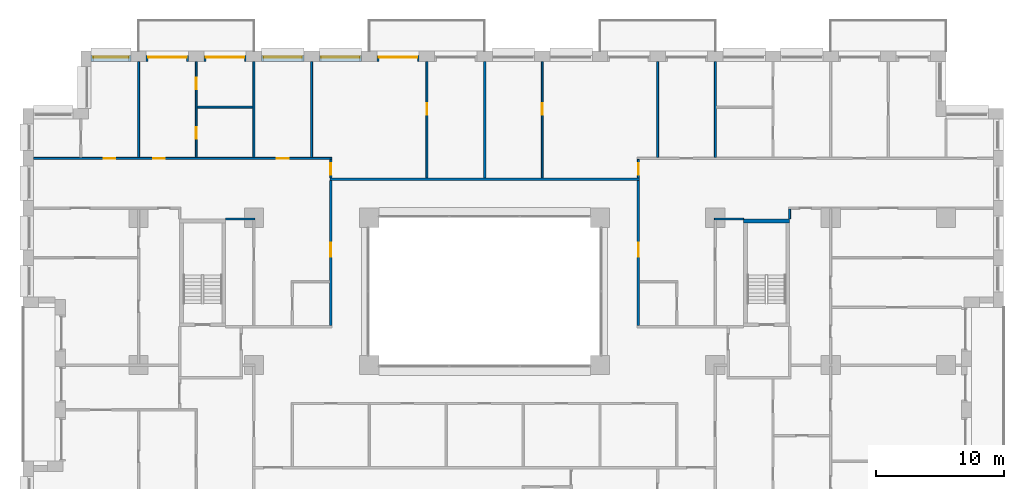
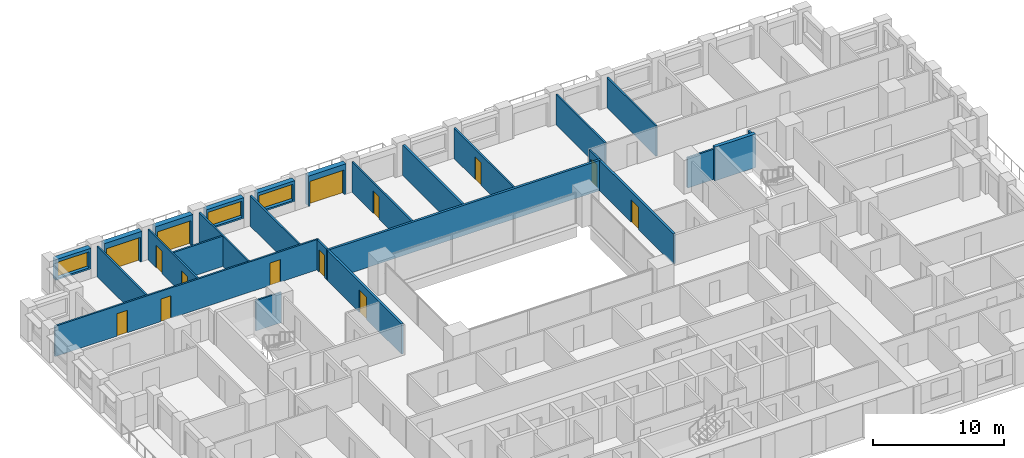
# One storey, part 14 of 19: 26 walls, 14 doors, 3 windows, 17 openings.
"""IFC4 building model written with IfcOpenShell, lengths in metres."""

from ifc_helpers import new_model, si_unit, direction, frame, frame_2d, origin, place, context, subcontext, project, spatial, rectangle, extrude, material, layer, layer_set, type_object, element, fill, save


model = new_model("IFC4")

# Units and contexts
model_context = context("Model", 3, precision=1e-05, world=origin(), true_north=direction((0.0, 1.0)))
body_context = subcontext(model_context, "Body", "Model", "MODEL_VIEW")
ifc_project = project(units=[si_unit("LENGTHUNIT", "METRE"), si_unit("AREAUNIT", "SQUARE_METRE"), si_unit("VOLUMEUNIT", "CUBIC_METRE"), si_unit("PLANEANGLEUNIT", "RADIAN"), si_unit("MASSUNIT", "GRAM", prefix="KILO")], contexts=[model_context])

# Site, building, storey
site_placement = place(None, origin())
site = spatial("IfcSite", under=ifc_project, at=site_placement, CompositionType="ELEMENT")
building_placement = place(site_placement, origin())
building = spatial("IfcBuilding", under=site, at=building_placement, Name="Brigalow Station Residences", CompositionType="ELEMENT")
storey_placement = place(building_placement, frame((0.0, 0.0, 22.64990234375)))
storey = spatial("IfcBuildingStorey", under=building, at=storey_placement, Name="L05", CompositionType="ELEMENT", Elevation=22.64990234375)

# Wall, opening, door
ifc_material_1 = material(Name="Clay brick masonry", Category="masonry")
ifc_layer_1 = layer(ifc_material_1, 0.449951171875)
ifc_layer_set_1 = layer_set([ifc_layer_1], Name="BRICK INFILL WALL 450")
wall_type_1 = type_object("IfcWallType", Name="BRICK INFILL WALL 450", PredefinedType="SOLIDWALL", material=ifc_layer_set_1)
wall_1_placement = place(storey_placement, frame((30.89990234375, 47.925048828125, 0.0), z_axis=(0.0, 0.0, 1.0), x_axis=(-1.0, 0.0, 0.0)))
wall_1 = element("IfcWall", 1, at=wall_1_placement, inside=storey, type_object=wall_type_1, Name="L05/ewall/W-L05-34", PredefinedType="SOLIDWALL", context=body_context, shape_type="SweptSolid", body=[
    extrude(rectangle(XDim=3.2998046875, YDim=0.449951171875, at=frame_2d((1.64990234375, 0.0))), origin(), (0.0, 0.0, 1.0), 2.830078125),
])
opening_1_placement = place(wall_1_placement, frame((0.14990234375, 0.0, 0.0)))
opening_1 = element("IfcOpeningElement", 2, at=opening_1_placement, cuts=wall_1, Name="Opening D-B3000", PredefinedType="OPENING", context=body_context, shape_type="SweptSolid", body=[
    extrude(rectangle(XDim=3.0, YDim=2.300048828125, at=frame_2d((1.5, 1.14990234375))), frame((0.0, 0.23486328125, 0.0), z_axis=(0.0, -1.0, 0.0), x_axis=(1.0, 0.0, 0.0)), (0.0, 0.0, 1.0), 0.469970703125),
])
ifc_material_2 = material(Name="Anodised aluminium frame with double glazing", Category="aluminium")
door_type_1 = type_object("IfcDoorType", Name="BALCONY SLIDING DOOR 3000x2300", OperationType="SLIDING_TO_LEFT", PredefinedType="DOOR", material=ifc_material_2)
door_1_placement = place(opening_1_placement, origin())
door_1 = element("IfcDoor", 3, at=door_1_placement, inside=storey, type_object=door_type_1, Name="L05/balcony-door/W-L05-34", OperationType="SLIDING_TO_LEFT", OverallHeight=2.300048828125, OverallWidth=3.0, PredefinedType="DOOR", context=body_context, shape_type="SweptSolid", body=[
    extrude(rectangle(XDim=3.0, YDim=2.300048828125, at=frame_2d((1.5, 1.14990234375))), frame((0.0, -0.06982421875, 0.0), z_axis=(0.0, -1.0, 0.0), x_axis=(1.0, 0.0, 0.0)), (0.0, 0.0, 1.0), 0.050048828125),
])
fill(opening_1, door_1)

# Wall, opening, window
wall_2_placement = place(storey_placement, frame((26.39990234375, 47.925048828125, 0.900146484375), z_axis=(0.0, 0.0, 1.0), x_axis=(-1.0, 0.0, 0.0)))
wall_2 = element("IfcWall", 4, at=wall_2_placement, inside=storey, type_object=wall_type_1, Name="L05/ewall/W-L05-35", PredefinedType="SOLIDWALL", context=body_context, shape_type="SweptSolid", body=[
    extrude(rectangle(XDim=3.2998046875, YDim=0.449951171875, at=frame_2d((1.64990234375, 0.0))), origin(), (0.0, 0.0, 1.0), 1.929931640625),
])
opening_2_placement = place(wall_2_placement, frame((0.14990234375, 0.0, 0.14990234375)))
opening_2 = element("IfcOpeningElement", 5, at=opening_2_placement, cuts=wall_2, Name="Opening WT-2", PredefinedType="OPENING", context=body_context, shape_type="SweptSolid", body=[
    extrude(rectangle(XDim=3.0, YDim=1.5, at=frame_2d((1.5, 0.75))), frame((0.0, 0.23486328125, 0.0), z_axis=(0.0, -1.0, 0.0), x_axis=(1.0, 0.0, 0.0)), (0.0, 0.0, 1.0), 0.469970703125),
])
ifc_material_3 = material(Name="Anodised aluminium frame with double glazing", Category="aluminium")
window_type_1 = type_object("IfcWindowType", Name="WINDOW 3000x1500", PartitioningType="SINGLE_PANEL", PredefinedType="WINDOW", material=ifc_material_3)
window_1_placement = place(opening_2_placement, origin())
window_1 = element("IfcWindow", 6, at=window_1_placement, inside=storey, type_object=window_type_1, Name="L05/window/W-L05-35", OverallHeight=1.5, OverallWidth=3.0, PartitioningType="SINGLE_PANEL", PredefinedType="WINDOW", context=body_context, shape_type="SweptSolid", body=[
    extrude(rectangle(XDim=3.0, YDim=1.5, at=frame_2d((1.5, 0.75))), frame((0.0, -0.06494140625, 0.0), z_axis=(0.0, -1.0, 0.0), x_axis=(1.0, 0.0, 0.0)), (0.0, 0.0, 1.0), 0.06005859375),
])
fill(opening_2, window_1)

wall_3_placement = place(storey_placement, frame((21.89990234375, 47.925048828125, 0.900146484375), z_axis=(0.0, 0.0, 1.0), x_axis=(-1.0, 0.0, 0.0)))
wall_3 = element("IfcWall", 7, at=wall_3_placement, inside=storey, type_object=wall_type_1, Name="L05/ewall/W-L05-36", PredefinedType="SOLIDWALL", context=body_context, shape_type="SweptSolid", body=[
    extrude(rectangle(XDim=3.2998046875, YDim=0.449951171875, at=frame_2d((1.64990234375, 0.0))), origin(), (0.0, 0.0, 1.0), 1.929931640625),
])
opening_3_placement = place(wall_3_placement, frame((0.14990234375, 0.0, 0.14990234375)))
opening_3 = element("IfcOpeningElement", 8, at=opening_3_placement, cuts=wall_3, Name="Opening WT-2", PredefinedType="OPENING", context=body_context, shape_type="SweptSolid", body=[
    extrude(rectangle(XDim=3.0, YDim=1.5, at=frame_2d((1.5, 0.75))), frame((0.0, 0.23486328125, 0.0), z_axis=(0.0, -1.0, 0.0), x_axis=(1.0, 0.0, 0.0)), (0.0, 0.0, 1.0), 0.469970703125),
])
window_2_placement = place(opening_3_placement, origin())
window_2 = element("IfcWindow", 9, at=window_2_placement, inside=storey, type_object=window_type_1, Name="L05/window/W-L05-36", OverallHeight=1.5, OverallWidth=3.0, PartitioningType="SINGLE_PANEL", PredefinedType="WINDOW", context=body_context, shape_type="SweptSolid", body=[
    extrude(rectangle(XDim=3.0, YDim=1.5, at=frame_2d((1.5, 0.75))), frame((0.0, -0.06494140625, 0.0), z_axis=(0.0, -1.0, 0.0), x_axis=(1.0, 0.0, 0.0)), (0.0, 0.0, 1.0), 0.06005859375),
])
fill(opening_3, window_2)

# Wall, opening, door
wall_4_placement = place(storey_placement, frame((17.39990234375, 47.925048828125, 0.0), z_axis=(0.0, 0.0, 1.0), x_axis=(-1.0, 0.0, 0.0)))
wall_4 = element("IfcWall", 10, at=wall_4_placement, inside=storey, type_object=wall_type_1, Name="L05/ewall/W-L05-37", PredefinedType="SOLIDWALL", context=body_context, shape_type="SweptSolid", body=[
    extrude(rectangle(XDim=3.2998046875, YDim=0.449951171875, at=frame_2d((1.64990234375, 0.0))), origin(), (0.0, 0.0, 1.0), 2.830078125),
])
opening_4_placement = place(wall_4_placement, frame((0.14990234375, 0.0, 0.0)))
opening_4 = element("IfcOpeningElement", 11, at=opening_4_placement, cuts=wall_4, Name="Opening D-B3000", PredefinedType="OPENING", context=body_context, shape_type="SweptSolid", body=[
    extrude(rectangle(XDim=3.0, YDim=2.300048828125, at=frame_2d((1.5, 1.14990234375))), frame((0.0, 0.23486328125, 0.0), z_axis=(0.0, -1.0, 0.0), x_axis=(1.0, 0.0, 0.0)), (0.0, 0.0, 1.0), 0.469970703125),
])
door_2_placement = place(opening_4_placement, origin())
door_2 = element("IfcDoor", 12, at=door_2_placement, inside=storey, type_object=door_type_1, Name="L05/balcony-door/W-L05-37", OperationType="SLIDING_TO_LEFT", OverallHeight=2.300048828125, OverallWidth=3.0, PredefinedType="DOOR", context=body_context, shape_type="SweptSolid", body=[
    extrude(rectangle(XDim=3.0, YDim=2.300048828125, at=frame_2d((1.5, 1.14990234375))), frame((0.0, -0.06982421875, 0.0), z_axis=(0.0, -1.0, 0.0), x_axis=(1.0, 0.0, 0.0)), (0.0, 0.0, 1.0), 0.050048828125),
])
fill(opening_4, door_2)

wall_5_placement = place(storey_placement, frame((12.89990234375, 47.925048828125, 0.0), z_axis=(0.0, 0.0, 1.0), x_axis=(-1.0, 0.0, 0.0)))
wall_5 = element("IfcWall", 13, at=wall_5_placement, inside=storey, type_object=wall_type_1, Name="L05/ewall/W-L05-38", PredefinedType="SOLIDWALL", context=body_context, shape_type="SweptSolid", body=[
    extrude(rectangle(XDim=3.2998046875, YDim=0.449951171875, at=frame_2d((1.64990234375, 0.0))), origin(), (0.0, 0.0, 1.0), 2.830078125),
])
opening_5_placement = place(wall_5_placement, frame((0.14990234375, 0.0, 0.0)))
opening_5 = element("IfcOpeningElement", 14, at=opening_5_placement, cuts=wall_5, Name="Opening D-B3000", PredefinedType="OPENING", context=body_context, shape_type="SweptSolid", body=[
    extrude(rectangle(XDim=3.0, YDim=2.300048828125, at=frame_2d((1.5, 1.14990234375))), frame((0.0, 0.23486328125, 0.0), z_axis=(0.0, -1.0, 0.0), x_axis=(1.0, 0.0, 0.0)), (0.0, 0.0, 1.0), 0.469970703125),
])
door_3_placement = place(opening_5_placement, origin())
door_3 = element("IfcDoor", 15, at=door_3_placement, inside=storey, type_object=door_type_1, Name="L05/balcony-door/W-L05-38", OperationType="SLIDING_TO_LEFT", OverallHeight=2.300048828125, OverallWidth=3.0, PredefinedType="DOOR", context=body_context, shape_type="SweptSolid", body=[
    extrude(rectangle(XDim=3.0, YDim=2.300048828125, at=frame_2d((1.5, 1.14990234375))), frame((0.0, -0.06982421875, 0.0), z_axis=(0.0, -1.0, 0.0), x_axis=(1.0, 0.0, 0.0)), (0.0, 0.0, 1.0), 0.050048828125),
])
fill(opening_5, door_3)

# Wall, opening, window
wall_6_placement = place(storey_placement, frame((8.39990234375, 47.925048828125, 0.900146484375), z_axis=(0.0, 0.0, 1.0), x_axis=(-1.0, 0.0, 0.0)))
wall_6 = element("IfcWall", 16, at=wall_6_placement, inside=storey, type_object=wall_type_1, Name="L05/ewall/W-L05-39", PredefinedType="SOLIDWALL", context=body_context, shape_type="SweptSolid", body=[
    extrude(rectangle(XDim=3.099853515625, YDim=0.449951171875, at=frame_2d((1.5498046875, 0.0))), origin(), (0.0, 0.0, 1.0), 1.929931640625),
])
opening_6_placement = place(wall_6_placement, frame((0.175048828125, 0.0, 0.14990234375)))
opening_6 = element("IfcOpeningElement", 17, at=opening_6_placement, cuts=wall_6, Name="Opening WT-3", PredefinedType="OPENING", context=body_context, shape_type="SweptSolid", body=[
    extrude(rectangle(XDim=2.75, YDim=1.5, at=frame_2d((1.375, 0.75))), frame((0.0, 0.23486328125, 0.0), z_axis=(0.0, -1.0, 0.0), x_axis=(1.0, 0.0, 0.0)), (0.0, 0.0, 1.0), 0.469970703125),
])
ifc_material_4 = material(Name="Anodised aluminium frame with double glazing", Category="aluminium")
window_type_2 = type_object("IfcWindowType", Name="WINDOW 2750x1500", PartitioningType="SINGLE_PANEL", PredefinedType="WINDOW", material=ifc_material_4)
window_3_placement = place(opening_6_placement, origin())
window_3 = element("IfcWindow", 18, at=window_3_placement, inside=storey, type_object=window_type_2, Name="L05/window/W-L05-39", OverallHeight=1.5, OverallWidth=2.75, PartitioningType="SINGLE_PANEL", PredefinedType="WINDOW", context=body_context, shape_type="SweptSolid", body=[
    extrude(rectangle(XDim=2.75, YDim=1.5, at=frame_2d((1.375, 0.75))), frame((0.0, -0.06494140625, 0.0), z_axis=(0.0, -1.0, 0.0), x_axis=(1.0, 0.0, 0.0)), (0.0, 0.0, 1.0), 0.06005859375),
])
fill(opening_6, window_3)

# Walls
ifc_material_5 = material(Name="Concrete C80", Category="concrete")
ifc_layer_2 = layer(ifc_material_5, 0.300048828125)
ifc_layer_set_2 = layer_set([ifc_layer_2], Name="CORE SHEAR WALL 300 C80")
wall_type_2 = type_object("IfcWallType", Name="CORE SHEAR WALL 300 C80", PredefinedType="SHEAR", material=ifc_layer_set_2)
wall_7_placement = place(storey_placement, frame((56.199951171875, 35.25, 0.0), z_axis=(0.0, 0.0, 1.0), x_axis=(1.0, 0.0, 0.0)))
element("IfcWall", 19, at=wall_7_placement, inside=storey, type_object=wall_type_2, Name="CORE WALL ST-S3-N L05", PredefinedType="SHEAR", context=body_context, shape_type="SweptSolid", body=[
    extrude(rectangle(XDim=3.60009765625, YDim=0.300048828125, at=frame_2d((1.800048828125, 0.0))), origin(), (0.0, 0.0, 1.0), 3.150146484375),
])
ifc_material_6 = material(Name="Plasterboard on steel stud partition", Category="steel")
ifc_layer_3 = layer(ifc_material_6, 0.14990234375)
ifc_layer_set_3 = layer_set([ifc_layer_3], Name="FLAT PARTITION 150")
wall_type_3 = type_object("IfcWallType", Name="FLAT PARTITION 150", PredefinedType="PARTITIONING", material=ifc_layer_set_3)
for number, where, z_axis, x_axis, name in (
    (20, (15.800048828125, 35.39990234375, 0.0), (0.0, 0.0, 1.0), (1.0, 0.0, 0.0), "PW-1A20"),
    (21, (53.925048828125, 35.39990234375, 0.0), (0.0, 0.0, 1.0), (1.0, 0.0, 0.0), "PW-1A21"),
):
    element("IfcWall", number, at=place(storey_placement, frame(where, z_axis=z_axis, x_axis=x_axis)), inside=storey, type_object=wall_type_3, Name=name, PredefinedType="PARTITIONING", context=body_context, shape_type="SweptSolid", body=[
        extrude(rectangle(XDim=2.27490234375, YDim=0.14990234375, at=frame_2d((1.137451171875, 0.0))), origin(), (0.0, 0.0, 1.0), 2.830078125),
    ])

# Wall, openings, doors
wall_8_placement = place(storey_placement, frame((0.800048828125, 40.125, 0.0), z_axis=(0.0, 0.0, 1.0), x_axis=(1.0, 0.0, 0.0)))
wall_8 = element("IfcWall", 22, at=wall_8_placement, inside=storey, type_object=wall_type_3, Name="PW-1A22", PredefinedType="PARTITIONING", context=body_context, shape_type="SweptSolid", body=[
    extrude(rectangle(XDim=23.27490234375, YDim=0.14990234375, at=frame_2d((11.637451171875, 0.0))), origin(), (0.0, 0.0, 1.0), 2.830078125),
])
opening_7_placement = place(wall_8_placement, frame((5.5, 0.0, 0.0)))
opening_7 = element("IfcOpeningElement", 23, at=opening_7_placement, cuts=wall_8, Name="Opening D-1A21", PredefinedType="OPENING", context=body_context, shape_type="SweptSolid", body=[
    extrude(rectangle(XDim=0.89990234375, YDim=2.10009765625, at=frame_2d((0.449951171875, 1.050048828125))), frame((0.0, 0.0849609375, 0.0), z_axis=(0.0, -1.0, 0.0), x_axis=(1.0, 0.0, 0.0)), (0.0, 0.0, 1.0), 0.169921875),
])
opening_8_placement = place(wall_8_placement, frame((9.35009765625, 0.0, 0.0)))
opening_8 = element("IfcOpeningElement", 24, at=opening_8_placement, cuts=wall_8, Name="Opening D-1A23", PredefinedType="OPENING", context=body_context, shape_type="SweptSolid", body=[
    extrude(rectangle(XDim=0.89990234375, YDim=2.10009765625, at=frame_2d((0.449951171875, 1.050048828125))), frame((0.0, 0.0849609375, 0.0), z_axis=(0.0, -1.0, 0.0), x_axis=(1.0, 0.0, 0.0)), (0.0, 0.0, 1.0), 0.169921875),
])
opening_9_placement = place(wall_8_placement, frame((19.0, 0.0, 0.0)))
opening_9 = element("IfcOpeningElement", 25, at=opening_9_placement, cuts=wall_8, Name="Opening D-1A26", PredefinedType="OPENING", context=body_context, shape_type="SweptSolid", body=[
    extrude(rectangle(XDim=0.89990234375, YDim=2.10009765625, at=frame_2d((0.449951171875, 1.050048828125))), frame((0.0, 0.0849609375, 0.0), z_axis=(0.0, -1.0, 0.0), x_axis=(1.0, 0.0, 0.0)), (0.0, 0.0, 1.0), 0.169921875),
])
ifc_material_7 = material(Name="Solid-core timber door leaf", Category="wood")
door_type_2 = type_object("IfcDoorType", Name="INTERNAL DOOR 900 x 2100", OperationType="SINGLE_SWING_LEFT", PredefinedType="DOOR", material=ifc_material_7)
door_4_placement = place(opening_7_placement, origin())
door_4 = element("IfcDoor", 26, at=door_4_placement, inside=storey, type_object=door_type_2, Name="D-1A21", OperationType="SINGLE_SWING_LEFT", OverallHeight=2.10009765625, OverallWidth=0.89990234375, PredefinedType="DOOR", context=body_context, shape_type="SweptSolid", body=[
    extrude(rectangle(XDim=0.89990234375, YDim=2.10009765625, at=frame_2d((0.449951171875, 1.050048828125))), frame((0.0, 0.02490234375, 0.0), z_axis=(0.0, -1.0, 0.0), x_axis=(1.0, 0.0, 0.0)), (0.0, 0.0, 1.0), 0.050048828125),
])
fill(opening_7, door_4)
door_5_placement = place(opening_8_placement, origin())
door_5 = element("IfcDoor", 27, at=door_5_placement, inside=storey, type_object=door_type_2, Name="D-1A23", OperationType="SINGLE_SWING_LEFT", OverallHeight=2.10009765625, OverallWidth=0.89990234375, PredefinedType="DOOR", context=body_context, shape_type="SweptSolid", body=[
    extrude(rectangle(XDim=0.89990234375, YDim=2.10009765625, at=frame_2d((0.449951171875, 1.050048828125))), frame((0.0, 0.02490234375, 0.0), z_axis=(0.0, -1.0, 0.0), x_axis=(1.0, 0.0, 0.0)), (0.0, 0.0, 1.0), 0.050048828125),
])
fill(opening_8, door_5)
door_6_placement = place(opening_9_placement, origin())
door_6 = element("IfcDoor", 28, at=door_6_placement, inside=storey, type_object=door_type_2, Name="D-1A26", OperationType="SINGLE_SWING_LEFT", OverallHeight=2.10009765625, OverallWidth=0.89990234375, PredefinedType="DOOR", context=body_context, shape_type="SweptSolid", body=[
    extrude(rectangle(XDim=0.89990234375, YDim=2.10009765625, at=frame_2d((0.449951171875, 1.050048828125))), frame((0.0, 0.02490234375, 0.0), z_axis=(0.0, -1.0, 0.0), x_axis=(1.0, 0.0, 0.0)), (0.0, 0.0, 1.0), 0.050048828125),
])
fill(opening_9, door_6)

# Walls
wall_9_placement = place(storey_placement, frame((13.574951171875, 44.125, 0.0), z_axis=(0.0, 0.0, 1.0), x_axis=(1.0, 0.0, 0.0)))
element("IfcWall", 29, at=wall_9_placement, inside=storey, type_object=wall_type_3, Name="PW-1A26", PredefinedType="PARTITIONING", context=body_context, shape_type="SweptSolid", body=[
    extrude(rectangle(XDim=4.35009765625, YDim=0.14990234375, at=frame_2d((2.175048828125, 0.0))), origin(), (0.0, 0.0, 1.0), 2.830078125),
])
for number, where, z_axis, x_axis, name in (
    (30, (18.0, 40.199951171875, 0.0), (0.0, 0.0, 1.0), (0.0, 1.0, 0.0), "PW-1A33"),
    (31, (54.0, 40.199951171875, 0.0), (0.0, 0.0, 1.0), (0.0, 1.0, 0.0), "PW-1A36"),
):
    element("IfcWall", number, at=place(storey_placement, frame(where, z_axis=z_axis, x_axis=x_axis)), inside=storey, type_object=wall_type_3, Name=name, PredefinedType="PARTITIONING", context=body_context, shape_type="SweptSolid", body=[
        extrude(rectangle(XDim=7.5, YDim=0.14990234375, at=frame_2d((3.75, 0.0))), origin(), (0.0, 0.0, 1.0), 2.830078125),
    ])

# Wall, opening, door
wall_10_placement = place(storey_placement, frame((24.0, 38.60009765625, 0.0), z_axis=(0.0, 0.0, 1.0), x_axis=(0.0, 1.0, 0.0)))
wall_10 = element("IfcWall", 32, at=wall_10_placement, inside=storey, type_object=wall_type_3, Name="PW-1A42", PredefinedType="PARTITIONING", context=body_context, shape_type="SweptSolid", body=[
    extrude(rectangle(XDim=1.449951171875, YDim=0.14990234375, at=frame_2d((0.72509765625, 0.0))), origin(), (0.0, 0.0, 1.0), 2.830078125),
])
opening_10_placement = place(wall_10_placement, frame((0.261962890625, 0.0, 0.0)))
opening_10 = element("IfcOpeningElement", 33, at=opening_10_placement, cuts=wall_10, Name="Opening D-1A27", PredefinedType="OPENING", context=body_context, shape_type="SweptSolid", body=[
    extrude(rectangle(XDim=0.89990234375, YDim=2.10009765625, at=frame_2d((0.449951171875, 1.050048828125))), frame((0.0, 0.0849609375, 0.0), z_axis=(0.0, -1.0, 0.0), x_axis=(1.0, 0.0, 0.0)), (0.0, 0.0, 1.0), 0.169921875),
])
door_7_placement = place(opening_10_placement, frame((0.89990234375, 0.0, 0.0), z_axis=(0.0, 0.0, 1.0), x_axis=(-1.0, 0.0, 0.0)))
door_7 = element("IfcDoor", 34, at=door_7_placement, inside=storey, type_object=door_type_2, Name="D-1A27", OperationType="SINGLE_SWING_RIGHT", OverallHeight=2.10009765625, OverallWidth=0.89990234375, PredefinedType="DOOR", context=body_context, shape_type="SweptSolid", body=[
    extrude(rectangle(XDim=0.89990234375, YDim=2.10009765625, at=frame_2d((0.449951171875, 1.050048828125))), frame((0.0, 0.02490234375, 0.0), z_axis=(0.0, -1.0, 0.0), x_axis=(1.0, 0.0, 0.0)), (0.0, 0.0, 1.0), 0.050048828125),
])
fill(opening_10, door_7)

wall_11_placement = place(storey_placement, frame((48.0, 38.60009765625, 0.0), z_axis=(0.0, 0.0, 1.0), x_axis=(0.0, 1.0, 0.0)))
wall_11 = element("IfcWall", 35, at=wall_11_placement, inside=storey, type_object=wall_type_3, Name="PW-1A44", PredefinedType="PARTITIONING", context=body_context, shape_type="SweptSolid", body=[
    extrude(rectangle(XDim=1.449951171875, YDim=0.14990234375, at=frame_2d((0.72509765625, 0.0))), origin(), (0.0, 0.0, 1.0), 2.830078125),
])
opening_11_placement = place(wall_11_placement, frame((0.261962890625, 0.0, 0.0)))
opening_11 = element("IfcOpeningElement", 36, at=opening_11_placement, cuts=wall_11, Name="Opening D-1A60", PredefinedType="OPENING", context=body_context, shape_type="SweptSolid", body=[
    extrude(rectangle(XDim=0.89990234375, YDim=2.10009765625, at=frame_2d((0.449951171875, 1.050048828125))), frame((0.0, 0.0849609375, 0.0), z_axis=(0.0, -1.0, 0.0), x_axis=(1.0, 0.0, 0.0)), (0.0, 0.0, 1.0), 0.169921875),
])
door_8_placement = place(opening_11_placement, origin())
door_8 = element("IfcDoor", 37, at=door_8_placement, inside=storey, type_object=door_type_2, Name="D-1A60", OperationType="SINGLE_SWING_LEFT", OverallHeight=2.10009765625, OverallWidth=0.89990234375, PredefinedType="DOOR", context=body_context, shape_type="SweptSolid", body=[
    extrude(rectangle(XDim=0.89990234375, YDim=2.10009765625, at=frame_2d((0.449951171875, 1.050048828125))), frame((0.0, 0.02490234375, 0.0), z_axis=(0.0, -1.0, 0.0), x_axis=(1.0, 0.0, 0.0)), (0.0, 0.0, 1.0), 0.050048828125),
])
fill(opening_11, door_8)

# Wall
wall_12_placement = place(storey_placement, frame((9.0, 40.199951171875, 0.0), z_axis=(0.0, 0.0, 1.0), x_axis=(0.0, 1.0, 0.0)))
element("IfcWall", 38, at=wall_12_placement, inside=storey, type_object=wall_type_3, Name="PW-1A50", PredefinedType="PARTITIONING", context=body_context, shape_type="SweptSolid", body=[
    extrude(rectangle(XDim=7.5, YDim=0.14990234375, at=frame_2d((3.75, 0.0))), origin(), (0.0, 0.0, 1.0), 2.830078125),
])

# Wall, openings, doors
wall_13_placement = place(storey_placement, frame((13.5, 40.199951171875, 0.0), z_axis=(0.0, 0.0, 1.0), x_axis=(0.0, 1.0, 0.0)))
wall_13 = element("IfcWall", 39, at=wall_13_placement, inside=storey, type_object=wall_type_3, Name="PW-1A55", PredefinedType="PARTITIONING", context=body_context, shape_type="SweptSolid", body=[
    extrude(rectangle(XDim=7.5, YDim=0.14990234375, at=frame_2d((3.75, 0.0))), origin(), (0.0, 0.0, 1.0), 2.830078125),
])
opening_12_placement = place(wall_13_placement, frame((1.47509765625, 0.0, 0.0)))
opening_12 = element("IfcOpeningElement", 40, at=opening_12_placement, cuts=wall_13, Name="Opening D-1A24", PredefinedType="OPENING", context=body_context, shape_type="SweptSolid", body=[
    extrude(rectangle(XDim=0.89990234375, YDim=2.10009765625, at=frame_2d((0.449951171875, 1.050048828125))), frame((0.0, 0.0849609375, 0.0), z_axis=(0.0, -1.0, 0.0), x_axis=(1.0, 0.0, 0.0)), (0.0, 0.0, 1.0), 0.169921875),
])
opening_13_placement = place(wall_13_placement, frame((5.3369140625, 0.0, 0.0)))
opening_13 = element("IfcOpeningElement", 41, at=opening_13_placement, cuts=wall_13, Name="Opening D-1A25", PredefinedType="OPENING", context=body_context, shape_type="SweptSolid", body=[
    extrude(rectangle(XDim=0.89990234375, YDim=2.10009765625, at=frame_2d((0.449951171875, 1.050048828125))), frame((0.0, 0.0849609375, 0.0), z_axis=(0.0, -1.0, 0.0), x_axis=(1.0, 0.0, 0.0)), (0.0, 0.0, 1.0), 0.169921875),
])
door_9_placement = place(opening_12_placement, frame((0.89990234375, 0.0, 0.0), z_axis=(0.0, 0.0, 1.0), x_axis=(-1.0, 0.0, 0.0)))
door_9 = element("IfcDoor", 42, at=door_9_placement, inside=storey, type_object=door_type_2, Name="D-1A24", OperationType="SINGLE_SWING_RIGHT", OverallHeight=2.10009765625, OverallWidth=0.89990234375, PredefinedType="DOOR", context=body_context, shape_type="SweptSolid", body=[
    extrude(rectangle(XDim=0.89990234375, YDim=2.10009765625, at=frame_2d((0.449951171875, 1.050048828125))), frame((0.0, 0.02490234375, 0.0), z_axis=(0.0, -1.0, 0.0), x_axis=(1.0, 0.0, 0.0)), (0.0, 0.0, 1.0), 0.050048828125),
])
fill(opening_12, door_9)
door_10_placement = place(opening_13_placement, frame((0.89990234375, 0.0, 0.0), z_axis=(0.0, 0.0, 1.0), x_axis=(-1.0, 0.0, 0.0)))
door_10 = element("IfcDoor", 43, at=door_10_placement, inside=storey, type_object=door_type_2, Name="D-1A25", OperationType="SINGLE_SWING_LEFT", OverallHeight=2.10009765625, OverallWidth=0.89990234375, PredefinedType="DOOR", context=body_context, shape_type="SweptSolid", body=[
    extrude(rectangle(XDim=0.89990234375, YDim=2.10009765625, at=frame_2d((0.449951171875, 1.050048828125))), frame((0.0, 0.02490234375, 0.0), z_axis=(0.0, -1.0, 0.0), x_axis=(1.0, 0.0, 0.0)), (0.0, 0.0, 1.0), 0.050048828125),
])
fill(opening_13, door_10)

# Wall
wall_14_placement = place(storey_placement, frame((22.5, 40.199951171875, 0.0), z_axis=(0.0, 0.0, 1.0), x_axis=(0.0, 1.0, 0.0)))
element("IfcWall", 44, at=wall_14_placement, inside=storey, type_object=wall_type_3, Name="PW-1A58", PredefinedType="PARTITIONING", context=body_context, shape_type="SweptSolid", body=[
    extrude(rectangle(XDim=7.5, YDim=0.14990234375, at=frame_2d((3.75, 0.0))), origin(), (0.0, 0.0, 1.0), 2.830078125),
])

# Wall, opening, door
wall_15_placement = place(storey_placement, frame((31.5, 38.60009765625, 0.0), z_axis=(0.0, 0.0, 1.0), x_axis=(0.0, 1.0, 0.0)))
wall_15 = element("IfcWall", 45, at=wall_15_placement, inside=storey, type_object=wall_type_3, Name="PW-1A59", PredefinedType="PARTITIONING", context=body_context, shape_type="SweptSolid", body=[
    extrude(rectangle(XDim=9.099853515625, YDim=0.14990234375, at=frame_2d((4.5498046875, 0.0))), origin(), (0.0, 0.0, 1.0), 2.830078125),
])
opening_14_placement = place(wall_15_placement, frame((4.93701171875, 0.0, 0.0)))
opening_14 = element("IfcOpeningElement", 46, at=opening_14_placement, cuts=wall_15, Name="Opening D-1A28", PredefinedType="OPENING", context=body_context, shape_type="SweptSolid", body=[
    extrude(rectangle(XDim=0.89990234375, YDim=2.10009765625, at=frame_2d((0.449951171875, 1.050048828125))), frame((0.0, 0.0849609375, 0.0), z_axis=(0.0, -1.0, 0.0), x_axis=(1.0, 0.0, 0.0)), (0.0, 0.0, 1.0), 0.169921875),
])
door_11_placement = place(opening_14_placement, frame((0.89990234375, 0.0, 0.0), z_axis=(0.0, 0.0, 1.0), x_axis=(-1.0, 0.0, 0.0)))
door_11 = element("IfcDoor", 47, at=door_11_placement, inside=storey, type_object=door_type_2, Name="D-1A28", OperationType="SINGLE_SWING_LEFT", OverallHeight=2.10009765625, OverallWidth=0.89990234375, PredefinedType="DOOR", context=body_context, shape_type="SweptSolid", body=[
    extrude(rectangle(XDim=0.89990234375, YDim=2.10009765625, at=frame_2d((0.449951171875, 1.050048828125))), frame((0.0, 0.02490234375, 0.0), z_axis=(0.0, -1.0, 0.0), x_axis=(1.0, 0.0, 0.0)), (0.0, 0.0, 1.0), 0.050048828125),
])
fill(opening_14, door_11)

# Walls
wall_16_placement = place(storey_placement, frame((59.800048828125, 35.39990234375, 0.0), z_axis=(0.0, 0.0, 1.0), x_axis=(0.0, 1.0, 0.0)))
element("IfcWall", 48, at=wall_16_placement, inside=storey, type_object=wall_type_3, Name="PW-1A74", PredefinedType="PARTITIONING", context=body_context, shape_type="SweptSolid", body=[
    extrude(rectangle(XDim=0.775146484375, YDim=0.14990234375, at=frame_2d((0.3876953125, 0.0))), origin(), (0.0, 0.0, 1.0), 2.830078125),
])
wall_17_placement = place(storey_placement, frame((49.5, 40.199951171875, 0.0), z_axis=(0.0, 0.0, 1.0), x_axis=(0.0, 1.0, 0.0)))
element("IfcWall", 49, at=wall_17_placement, inside=storey, type_object=wall_type_3, Name="PW-1A75", PredefinedType="PARTITIONING", context=body_context, shape_type="SweptSolid", body=[
    extrude(rectangle(XDim=7.5, YDim=0.14990234375, at=frame_2d((3.75, 0.0))), origin(), (0.0, 0.0, 1.0), 2.830078125),
])

# Wall, opening, door
wall_18_placement = place(storey_placement, frame((40.5, 38.60009765625, 0.0), z_axis=(0.0, 0.0, 1.0), x_axis=(0.0, 1.0, 0.0)))
wall_18 = element("IfcWall", 50, at=wall_18_placement, inside=storey, type_object=wall_type_3, Name="PW-1A76", PredefinedType="PARTITIONING", context=body_context, shape_type="SweptSolid", body=[
    extrude(rectangle(XDim=9.099853515625, YDim=0.14990234375, at=frame_2d((4.5498046875, 0.0))), origin(), (0.0, 0.0, 1.0), 2.830078125),
])
opening_15_placement = place(wall_18_placement, frame((4.93701171875, 0.0, 0.0)))
opening_15 = element("IfcOpeningElement", 51, at=opening_15_placement, cuts=wall_18, Name="Opening D-1A61", PredefinedType="OPENING", context=body_context, shape_type="SweptSolid", body=[
    extrude(rectangle(XDim=0.89990234375, YDim=2.10009765625, at=frame_2d((0.449951171875, 1.050048828125))), frame((0.0, 0.0849609375, 0.0), z_axis=(0.0, -1.0, 0.0), x_axis=(1.0, 0.0, 0.0)), (0.0, 0.0, 1.0), 0.169921875),
])
door_12_placement = place(opening_15_placement, origin())
door_12 = element("IfcDoor", 52, at=door_12_placement, inside=storey, type_object=door_type_2, Name="D-1A61", OperationType="SINGLE_SWING_RIGHT", OverallHeight=2.10009765625, OverallWidth=0.89990234375, PredefinedType="DOOR", context=body_context, shape_type="SweptSolid", body=[
    extrude(rectangle(XDim=0.89990234375, YDim=2.10009765625, at=frame_2d((0.449951171875, 1.050048828125))), frame((0.0, 0.02490234375, 0.0), z_axis=(0.0, -1.0, 0.0), x_axis=(1.0, 0.0, 0.0)), (0.0, 0.0, 1.0), 0.050048828125),
])
fill(opening_15, door_12)

# Wall
ifc_material_8 = material(Name="Plasterboard on steel stud partition", Category="steel")
ifc_layer_4 = layer(ifc_material_8, 0.199951171875)
ifc_layer_set_4 = layer_set([ifc_layer_4], Name="PARTY AND CORRIDOR WALL 200")
wall_type_4 = type_object("IfcWallType", Name="PARTY AND CORRIDOR WALL 200", PredefinedType="PARTITIONING", material=ifc_layer_set_4)
wall_19_placement = place(storey_placement, frame((23.925048828125, 38.5, 0.0), z_axis=(0.0, 0.0, 1.0), x_axis=(1.0, 0.0, 0.0)))
element("IfcWall", 53, at=wall_19_placement, inside=storey, type_object=wall_type_4, Name="PW-1A08", PredefinedType="PARTITIONING", context=body_context, shape_type="SweptSolid", body=[
    extrude(rectangle(XDim=24.14990234375, YDim=0.199951171875, at=frame_2d((12.074951171875, 0.0))), origin(), (0.0, 0.0, 1.0), 2.830078125),
])

# Wall, opening, door
wall_20_placement = place(storey_placement, frame((24.0, 27.10009765625, 0.0), z_axis=(0.0, 0.0, 1.0), x_axis=(0.0, 1.0, 0.0)))
wall_20 = element("IfcWall", 54, at=wall_20_placement, inside=storey, type_object=wall_type_4, Name="PW-1A43", PredefinedType="PARTITIONING", context=body_context, shape_type="SweptSolid", body=[
    extrude(rectangle(XDim=11.2998046875, YDim=0.199951171875, at=frame_2d((5.64990234375, 0.0))), origin(), (0.0, 0.0, 1.0), 2.830078125),
])
opening_16_placement = place(wall_20_placement, frame((5.35009765625, 0.0, 0.0)))
opening_16 = element("IfcOpeningElement", 55, at=opening_16_placement, cuts=wall_20, Name="Opening D-1A29", PredefinedType="OPENING", context=body_context, shape_type="SweptSolid", body=[
    extrude(rectangle(XDim=1.10009765625, YDim=2.10009765625, at=frame_2d((0.550048828125, 1.050048828125))), frame((0.0, 0.10986328125, 0.0), z_axis=(0.0, -1.0, 0.0), x_axis=(1.0, 0.0, 0.0)), (0.0, 0.0, 1.0), 0.219970703125),
])
ifc_material_9 = material(Name="Solid-core timber door leaf", Category="wood")
door_type_3 = type_object("IfcDoorType", Name="FLAT ENTRANCE DOOR 1100 x 2100 FRL -/60/30", OperationType="SINGLE_SWING_LEFT", PredefinedType="DOOR", material=ifc_material_9)
door_13_placement = place(opening_16_placement, origin())
door_13 = element("IfcDoor", 56, at=door_13_placement, inside=storey, type_object=door_type_3, Name="D-1A29", OperationType="SINGLE_SWING_LEFT", OverallHeight=2.10009765625, OverallWidth=1.10009765625, PredefinedType="DOOR", context=body_context, shape_type="SweptSolid", body=[
    extrude(rectangle(XDim=1.10009765625, YDim=2.10009765625, at=frame_2d((0.550048828125, 1.050048828125))), frame((0.0, 0.02490234375, 0.0), z_axis=(0.0, -1.0, 0.0), x_axis=(1.0, 0.0, 0.0)), (0.0, 0.0, 1.0), 0.050048828125),
])
fill(opening_16, door_13)

wall_21_placement = place(storey_placement, frame((48.0, 27.10009765625, 0.0), z_axis=(0.0, 0.0, 1.0), x_axis=(0.0, 1.0, 0.0)))
wall_21 = element("IfcWall", 57, at=wall_21_placement, inside=storey, type_object=wall_type_4, Name="PW-1A45", PredefinedType="PARTITIONING", context=body_context, shape_type="SweptSolid", body=[
    extrude(rectangle(XDim=11.2998046875, YDim=0.199951171875, at=frame_2d((5.64990234375, 0.0))), origin(), (0.0, 0.0, 1.0), 2.830078125),
])
opening_17_placement = place(wall_21_placement, frame((5.35009765625, 0.0, 0.0)))
opening_17 = element("IfcOpeningElement", 58, at=opening_17_placement, cuts=wall_21, Name="Opening D-1A62", PredefinedType="OPENING", context=body_context, shape_type="SweptSolid", body=[
    extrude(rectangle(XDim=1.10009765625, YDim=2.10009765625, at=frame_2d((0.550048828125, 1.050048828125))), frame((0.0, 0.10986328125, 0.0), z_axis=(0.0, -1.0, 0.0), x_axis=(1.0, 0.0, 0.0)), (0.0, 0.0, 1.0), 0.219970703125),
])
door_14_placement = place(opening_17_placement, frame((1.10009765625, 0.0, 0.0), z_axis=(0.0, 0.0, 1.0), x_axis=(-1.0, 0.0, 0.0)))
door_14 = element("IfcDoor", 59, at=door_14_placement, inside=storey, type_object=door_type_3, Name="D-1A62", OperationType="SINGLE_SWING_RIGHT", OverallHeight=2.10009765625, OverallWidth=1.10009765625, PredefinedType="DOOR", context=body_context, shape_type="SweptSolid", body=[
    extrude(rectangle(XDim=1.10009765625, YDim=2.10009765625, at=frame_2d((0.550048828125, 1.050048828125))), frame((0.0, 0.02490234375, 0.0), z_axis=(0.0, -1.0, 0.0), x_axis=(1.0, 0.0, 0.0)), (0.0, 0.0, 1.0), 0.050048828125),
])
fill(opening_17, door_14)

# Wall
wall_22_placement = place(storey_placement, frame((36.0, 38.60009765625, 0.0), z_axis=(0.0, 0.0, 1.0), x_axis=(0.0, 1.0, 0.0)))
element("IfcWall", 60, at=wall_22_placement, inside=storey, type_object=wall_type_4, Name="PW-1A60", PredefinedType="PARTITIONING", context=body_context, shape_type="SweptSolid", body=[
    extrude(rectangle(XDim=9.099853515625, YDim=0.199951171875, at=frame_2d((4.5498046875, 0.0))), origin(), (0.0, 0.0, 1.0), 2.830078125),
])

save(model, "model.ifc")
